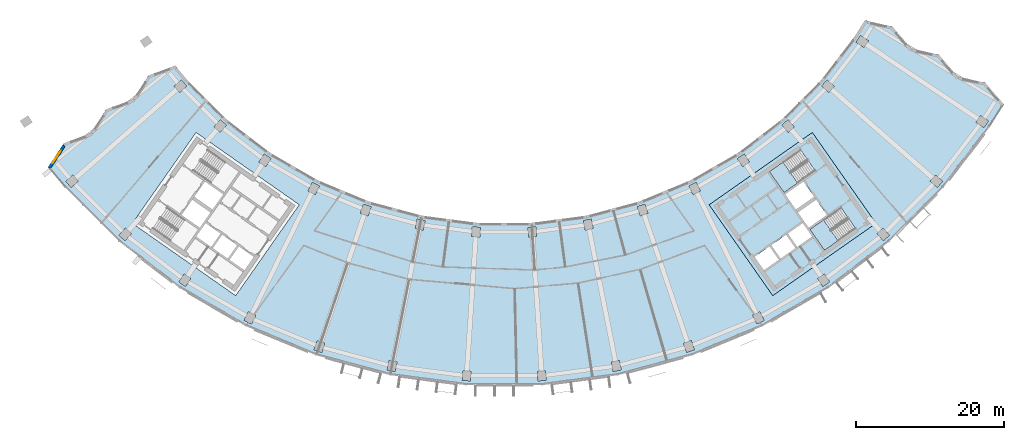
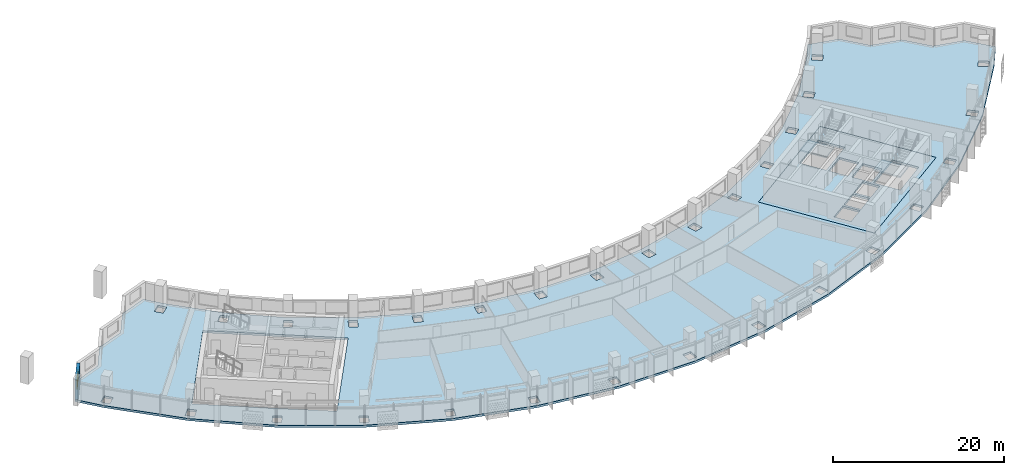
# One storey, part 2 of 27: 4 slabs, 1 wall, 1 window, 1 opening, 2 elements without a shape of their own.
"""IFC4 building model written with IfcOpenShell, lengths in metres."""

from ifc_helpers import new_model, si_unit, direction, frame, frame_2d, origin, place, context, subcontext, project, spatial, polyline, rectangle, outline, extrude, material, layer, layer_set, type_object, element, fill, aggregate, save


model = new_model("IFC4")

# Units and contexts
model_context = context("Model", 3, precision=1e-05, world=origin(), true_north=direction((0.0, 1.0)))
body_context = subcontext(model_context, "Body", "Model", "MODEL_VIEW")
ifc_project = project(units=[si_unit("LENGTHUNIT", "METRE"), si_unit("AREAUNIT", "SQUARE_METRE"), si_unit("VOLUMEUNIT", "CUBIC_METRE"), si_unit("PLANEANGLEUNIT", "RADIAN"), si_unit("MASSUNIT", "GRAM", prefix="KILO")], contexts=[model_context])

# Site, building, storey
site_placement = place(None, origin())
site = spatial("IfcSite", under=ifc_project, at=site_placement, CompositionType="ELEMENT")
building_placement = place(site_placement, origin())
building = spatial("IfcBuilding", under=site, at=building_placement, Name="Qamariyya Broadcast Tower", CompositionType="ELEMENT")
storey_placement = place(building_placement, frame((0.0, 0.0, 191.10009765625)))
storey = spatial("IfcBuildingStorey", under=building, at=storey_placement, Name="L45", CompositionType="ELEMENT", Elevation=191.10009765625)

# Slabs
ifc_material_1 = material(Name="Concrete C40/50", Category="concrete")
ifc_layer_1 = layer(ifc_material_1, 0.300048828125)
ifc_layer_set_1 = layer_set([ifc_layer_1], Name="Core floor slab 300 mm Concrete C40/50")
slab_type_1 = type_object("IfcSlabType", Name="Core floor slab 300 mm Concrete C40/50", PredefinedType="FLOOR", material=ifc_layer_set_1)
slab_1_placement = place(storey_placement, frame((0.0, 0.0, -0.300048828125)))
element("IfcSlab", 1, at=slab_1_placement, inside=storey, type_object=slab_type_1, Name="k-E-L45-slab", PredefinedType="FLOOR", context=body_context, shape_type="SweptSolid", body=[
    extrude(outline(polyline([(36.32373046875, -66.734375), (50.286376953125, -56.95751953125), (41.6826171875, -44.67041015625), (27.719970703125, -54.447021484375), (36.32373046875, -66.734375)]), holes=[polyline([(33.87353515625, -61.49169921875), (35.88037109375, -60.08642578125), (37.142333984375, -61.888427734375), (35.13525390625, -63.293701171875), (33.87353515625, -61.49169921875)]), polyline([(36.126220703125, -59.914306640625), (38.133056640625, -58.509033203125), (39.394775390625, -60.311279296875), (37.387939453125, -61.716552734375), (36.126220703125, -59.914306640625)]), polyline([(38.378662109375, -58.3369140625), (40.3857421875, -56.931640625), (41.6474609375, -58.73388671875), (39.640625, -60.13916015625), (38.378662109375, -58.3369140625)]), polyline([(39.742431640625, -55.489990234375), (42.199951171875, -53.769287109375), (43.6337890625, -55.817138671875), (41.17626953125, -57.537841796875), (39.742431640625, -55.489990234375)]), polyline([(39.45556640625, -55.080322265625), (41.9130859375, -53.359619140625), (40.47900390625, -51.311767578125), (38.021728515625, -53.032470703125), (39.45556640625, -55.080322265625)]), polyline([(40.082275390625, -47.01171875), (35.870849609375, -49.960693359375), (37.849609375, -52.78662109375), (42.06103515625, -49.837890625), (40.082275390625, -47.01171875)]), polyline([(45.559814453125, -54.834716796875), (41.348388671875, -57.783447265625), (43.3271484375, -60.609619140625), (47.538818359375, -57.66064453125), (45.559814453125, -54.834716796875)])]), origin(), (0.0, 0.0, 1.0), 0.300048828125),
])
ifc_layer_2 = layer(ifc_material_1, 0.300048828125)
ifc_layer_set_2 = layer_set([ifc_layer_2], Name="Post-tensioned floor slab 300 C40/50")
slab_type_2 = type_object("IfcSlabType", Name="Post-tensioned floor slab 300 C40/50", PredefinedType="FLOOR", material=ifc_layer_set_2)
slab_2_placement = place(storey_placement, frame((0.0, 0.0, -0.300048828125)))
element("IfcSlab", 2, at=slab_2_placement, inside=storey, type_object=slab_type_2, Name="Floor slab S4 L45", PredefinedType="FLOOR", context=body_context, shape_type="SweptSolid", body=[
    extrude(outline(polyline([(-59.567626953125, -46.117431640625), (-61.688720703125, -49.350830078125), (-59.395263671875, -52.08837890625), (-52.08837890625, -59.395263671875), (-43.89013671875, -65.68603515625), (-34.94091796875, -70.85302734375), (-25.393798828125, -74.807373046875), (-15.412109375, -77.48193359375), (-5.166748046875, -78.830810546875), (5.166748046875, -78.830810546875), (15.412109375, -77.48193359375), (25.393798828125, -74.807373046875), (34.94091796875, -70.85302734375), (43.89013671875, -65.68603515625), (52.08837890625, -59.395263671875), (59.395263671875, -52.08837890625), (65.68603515625, -43.89013671875), (67.6025390625, -40.876708984375), (65.07763671875, -37.94775390625), (61.3271484375, -37.082275390625), (58.80126953125, -34.152587890625), (55.0517578125, -33.287841796875), (52.52490234375, -30.357666015625), (48.776611328125, -29.4931640625), (47.393798828125, -31.66748046875), (42.85498046875, -37.582763671875), (37.582763671875, -42.85498046875), (31.66748046875, -47.393798828125), (25.21044921875, -51.121826171875), (18.322021484375, -53.97509765625), (11.1201171875, -55.90478515625), (3.72802734375, -56.8779296875), (-3.72802734375, -56.8779296875), (-11.1201171875, -55.90478515625), (-18.322021484375, -53.97509765625), (-25.21044921875, -51.121826171875), (-31.66748046875, -47.393798828125), (-37.582763671875, -42.85498046875), (-42.85498046875, -37.582763671875), (-44.509521484375, -35.607666015625), (-48.113037109375, -36.95361328125), (-50.23583984375, -40.188720703125), (-53.840576171875, -41.53564453125), (-55.96240234375, -44.769775390625), (-59.567626953125, -46.117431640625)]), holes=[polyline([(-5.676513671875, -78.1962890625), (-5.59130859375, -76.89892578125), (-4.49365234375, -76.970947265625), (-4.578857421875, -78.26806640625), (-5.676513671875, -78.1962890625)]), polyline([(-15.83447265625, -76.786376953125), (-15.580810546875, -75.51123046875), (-14.501953125, -75.725830078125), (-14.755615234375, -77.0009765625), (-15.83447265625, -76.786376953125)]), polyline([(-25.7216796875, -74.0625), (-25.3037109375, -72.83154296875), (-24.26220703125, -73.18505859375), (-24.679931640625, -74.416015625), (-25.7216796875, -74.0625)]), polyline([(-35.168701171875, -70.071533203125), (-34.59375, -68.905517578125), (-33.607177734375, -69.39208984375), (-34.18212890625, -70.55810546875), (-35.168701171875, -70.071533203125)]), polyline([(-44.013916015625, -64.881591796875), (-43.291748046875, -63.80078125), (-42.377197265625, -64.411865234375), (-43.099365234375, -65.49267578125), (-44.013916015625, -64.881591796875)]), polyline([(-52.106201171875, -58.58154296875), (-51.2490234375, -57.604248046875), (-50.422119140625, -58.32958984375), (-51.279296875, -59.306884765625), (-52.106201171875, -58.58154296875)]), polyline([(-4.401123046875, -58.738037109375), (-4.316162109375, -57.440673828125), (-3.218505859375, -57.5126953125), (-3.303466796875, -58.809814453125), (-4.401123046875, -58.738037109375)]), polyline([(-12.0302734375, -57.660888671875), (-11.776611328125, -56.385986328125), (-10.69775390625, -56.6005859375), (-10.951416015625, -57.87548828125), (-12.0302734375, -57.660888671875)]), polyline([(-50.286376953125, -56.95751953125), (-41.6826171875, -44.67041015625), (-27.719970703125, -54.447021484375), (-36.32373046875, -66.734375), (-50.286376953125, -56.95751953125)]), polyline([(-19.45361328125, -55.597412109375), (-19.03564453125, -54.366455078125), (-17.994140625, -54.719970703125), (-18.411865234375, -55.950927734375), (-19.45361328125, -55.597412109375)]), polyline([(-26.544189453125, -52.58251953125), (-25.968994140625, -51.41650390625), (-24.982666015625, -51.903076171875), (-25.5576171875, -53.069091796875), (-26.544189453125, -52.58251953125)]), polyline([(-59.306884765625, -51.279296875), (-58.32958984375, -50.422119140625), (-57.604248046875, -51.2490234375), (-58.58154296875, -52.106201171875), (-59.306884765625, -51.279296875)]), polyline([(-33.180419921875, -48.66796875), (-32.458251953125, -47.587158203125), (-31.54345703125, -48.1982421875), (-32.265869140625, -49.279052734375), (-33.180419921875, -48.66796875)]), polyline([(-39.2490234375, -43.920654296875), (-38.391845703125, -42.943359375), (-37.564697265625, -43.668701171875), (-38.421875, -44.64599609375), (-39.2490234375, -43.920654296875)]), polyline([(-43.668701171875, -37.564697265625), (-42.943359375, -38.391845703125), (-43.920654296875, -39.2490234375), (-44.64599609375, -38.421875), (-43.668701171875, -37.564697265625)]), polyline([(4.578857421875, -78.26806640625), (4.49365234375, -76.970947265625), (5.59130859375, -76.89892578125), (5.676513671875, -78.1962890625), (4.578857421875, -78.26806640625)]), polyline([(14.755615234375, -77.0009765625), (14.501953125, -75.725830078125), (15.580810546875, -75.51123046875), (15.83447265625, -76.786376953125), (14.755615234375, -77.0009765625)]), polyline([(24.679931640625, -74.416015625), (24.26220703125, -73.18505859375), (25.3037109375, -72.83154296875), (25.7216796875, -74.0625), (24.679931640625, -74.416015625)]), polyline([(34.18212890625, -70.55810546875), (33.607177734375, -69.39208984375), (34.59375, -68.905517578125), (35.168701171875, -70.071533203125), (34.18212890625, -70.55810546875)]), polyline([(43.099365234375, -65.49267578125), (42.377197265625, -64.411865234375), (43.291748046875, -63.80078125), (44.013916015625, -64.881591796875), (43.099365234375, -65.49267578125)]), polyline([(51.279296875, -59.306884765625), (50.422119140625, -58.32958984375), (51.2490234375, -57.604248046875), (52.106201171875, -58.58154296875), (51.279296875, -59.306884765625)]), polyline([(3.303466796875, -58.809814453125), (3.218505859375, -57.5126953125), (4.316162109375, -57.440673828125), (4.401123046875, -58.738037109375), (3.303466796875, -58.809814453125)]), polyline([(10.951416015625, -57.87548828125), (10.69775390625, -56.6005859375), (11.776611328125, -56.385986328125), (12.0302734375, -57.660888671875), (10.951416015625, -57.87548828125)]), polyline([(36.32373046875, -66.734375), (27.719970703125, -54.447021484375), (41.6826171875, -44.67041015625), (50.286376953125, -56.95751953125), (36.32373046875, -66.734375)]), polyline([(18.411865234375, -55.950927734375), (17.994140625, -54.719970703125), (19.03564453125, -54.366455078125), (19.45361328125, -55.597412109375), (18.411865234375, -55.950927734375)]), polyline([(25.5576171875, -53.069091796875), (24.982666015625, -51.903076171875), (25.968994140625, -51.41650390625), (26.544189453125, -52.58251953125), (25.5576171875, -53.069091796875)]), polyline([(58.58154296875, -52.106201171875), (57.604248046875, -51.2490234375), (58.32958984375, -50.422119140625), (59.306884765625, -51.279296875), (58.58154296875, -52.106201171875)]), polyline([(32.265869140625, -49.279052734375), (31.54345703125, -48.1982421875), (32.458251953125, -47.587158203125), (33.180419921875, -48.66796875), (32.265869140625, -49.279052734375)]), polyline([(38.421875, -44.64599609375), (37.564697265625, -43.668701171875), (38.391845703125, -42.943359375), (39.2490234375, -43.920654296875), (38.421875, -44.64599609375)]), polyline([(64.881591796875, -44.013916015625), (63.80078125, -43.291748046875), (64.411865234375, -42.377197265625), (65.49267578125, -43.099365234375), (64.881591796875, -44.013916015625)]), polyline([(42.943359375, -38.391845703125), (43.668701171875, -37.564697265625), (44.64599609375, -38.421875), (43.920654296875, -39.2490234375), (42.943359375, -38.391845703125)]), polyline([(47.587158203125, -32.458251953125), (48.1982421875, -31.54345703125), (49.279052734375, -32.265869140625), (48.66796875, -33.180419921875), (47.587158203125, -32.458251953125)])]), origin(), (0.0, 0.0, 1.0), 0.300048828125),
])

# Stair, slab
ifc_material_2 = material(Name="Concrete C50/60", Category="concrete")
stair_type = type_object("IfcStairType", Name="Exit stair 22 risers of 173 mm", PredefinedType="HALF_TURN_STAIR", material=ifc_material_2)
stair_1_placement = place(storey_placement, origin())
stair_1 = element("IfcStair", 3, at=stair_1_placement, inside=storey, type_object=stair_type, Name="L45 Stair E2", PredefinedType="HALF_TURN_STAIR")
ifc_layer_3 = layer(ifc_material_2, 0.199951171875)
ifc_layer_set_3 = layer_set([ifc_layer_3], Name="Stair landing")
slab_type_3 = type_object("IfcSlabType", Name="Stair landing", PredefinedType="LANDING", material=ifc_layer_set_3)
slab_3_placement = place(storey_placement, frame((0.0, 0.0, 1.699951171875)))
slab_3 = element("IfcSlab", 4, at=slab_3_placement, type_object=slab_type_3, Name="ST-E2 landing 1", PredefinedType="LANDING", context=body_context, shape_type="SweptSolid", body=[
    extrude(outline(polyline([(37.71337890625, -48.67041015625), (35.870849609375, -49.960693359375), (37.849609375, -52.78662109375), (39.692138671875, -51.49658203125), (37.71337890625, -48.67041015625)])), origin(), (0.0, 0.0, 1.0), 0.199951171875),
])
aggregate(stair_1, [slab_3])

stair_2_placement = place(storey_placement, origin())
stair_2 = element("IfcStair", 5, at=stair_2_placement, inside=storey, type_object=stair_type, Name="L45 Stair E1", PredefinedType="HALF_TURN_STAIR")
slab_4_placement = place(storey_placement, frame((0.0, 0.0, 1.699951171875)))
slab_4 = element("IfcSlab", 6, at=slab_4_placement, type_object=slab_type_3, Name="ST-E1 landing 1", PredefinedType="LANDING", context=body_context, shape_type="SweptSolid", body=[
    extrude(outline(polyline([(43.19091796875, -56.493408203125), (41.348388671875, -57.783447265625), (43.3271484375, -60.609619140625), (45.169677734375, -59.319580078125), (43.19091796875, -56.493408203125)])), origin(), (0.0, 0.0, 1.0), 0.199951171875),
])
aggregate(stair_2, [slab_4])

# Wall, opening, window
ifc_material_3 = material(Name="Terracotta", Category="masonry")
ifc_layer_4 = layer(ifc_material_3, 0.39990234375)
ifc_layer_set_4 = layer_set([ifc_layer_4], Name="Terracotta clad wall 400")
wall_type = type_object("IfcWallType", Name="Terracotta clad wall 400", PredefinedType="SOLIDWALL", material=ifc_layer_set_4)
wall_placement = place(storey_placement, frame((-59.55419921875, -46.461181640625, 0.0), z_axis=(0.0, 0.0, 1.0), x_axis=(-0.548464638166, -0.836173750294, 0.0)))
wall = element("IfcWall", 7, at=wall_placement, inside=storey, type_object=wall_type, Name="e-wl-L45-capW5", PredefinedType="SOLIDWALL", context=body_context, shape_type="SweptSolid", body=[
    extrude(rectangle(XDim=3.5869140625, YDim=0.39990234375, at=frame_2d((1.79345703125, 0.0))), origin(), (0.0, 0.0, 1.0), 2.699951171875),
])
opening_placement = place(wall_placement, frame((0.79345703125, 0.0, 0.89990234375)))
opening = element("IfcOpeningElement", 8, at=opening_placement, cuts=wall, Name="Opening W4", PredefinedType="OPENING", context=body_context, shape_type="SweptSolid", body=[
    extrude(rectangle(XDim=2.0, YDim=1.5, at=frame_2d((1.0, 0.75))), frame((0.0, 0.2099609375, 0.0), z_axis=(0.0, -1.0, 0.0), x_axis=(1.0, 0.0, 0.0)), (0.0, 0.0, 1.0), 0.419921875),
])
ifc_material_4 = material(Name="Clear low-e double glazed unit in aluminium frame", Category="aluminium")
window_type = type_object("IfcWindowType", Name="Horn bay window 2000 x 1500", PartitioningType="SINGLE_PANEL", PredefinedType="WINDOW", material=ifc_material_4)
window_placement = place(opening_placement, origin())
window = element("IfcWindow", 9, at=window_placement, inside=storey, type_object=window_type, Name="e-w-L45-capW5", OverallHeight=1.5, OverallWidth=2.0, PartitioningType="SINGLE_PANEL", PredefinedType="WINDOW", context=body_context, shape_type="SweptSolid", body=[
    extrude(rectangle(XDim=2.0, YDim=1.5, at=frame_2d((1.0, 0.75))), frame((0.0, 0.030029296875, 0.0), z_axis=(0.0, -1.0, 0.0), x_axis=(1.0, 0.0, 0.0)), (0.0, 0.0, 1.0), 0.06005859375),
])
fill(opening, window)

save(model, "model.ifc")
